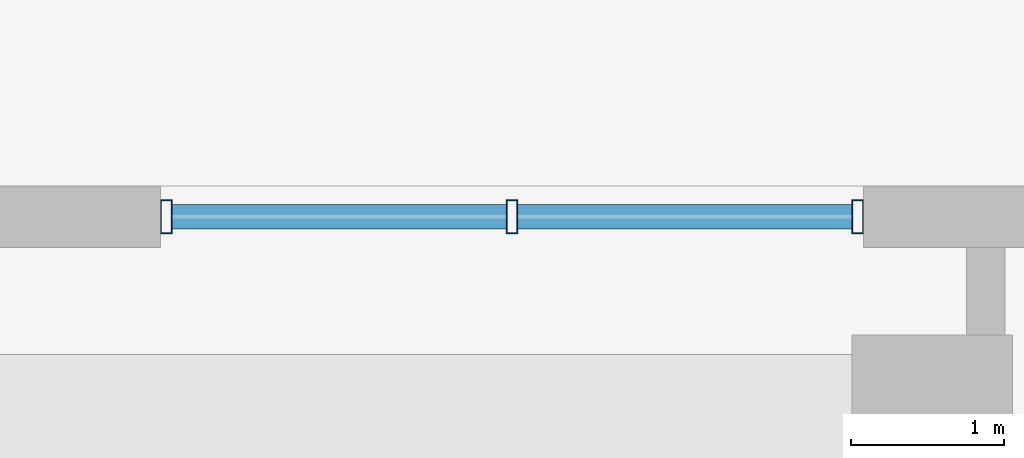
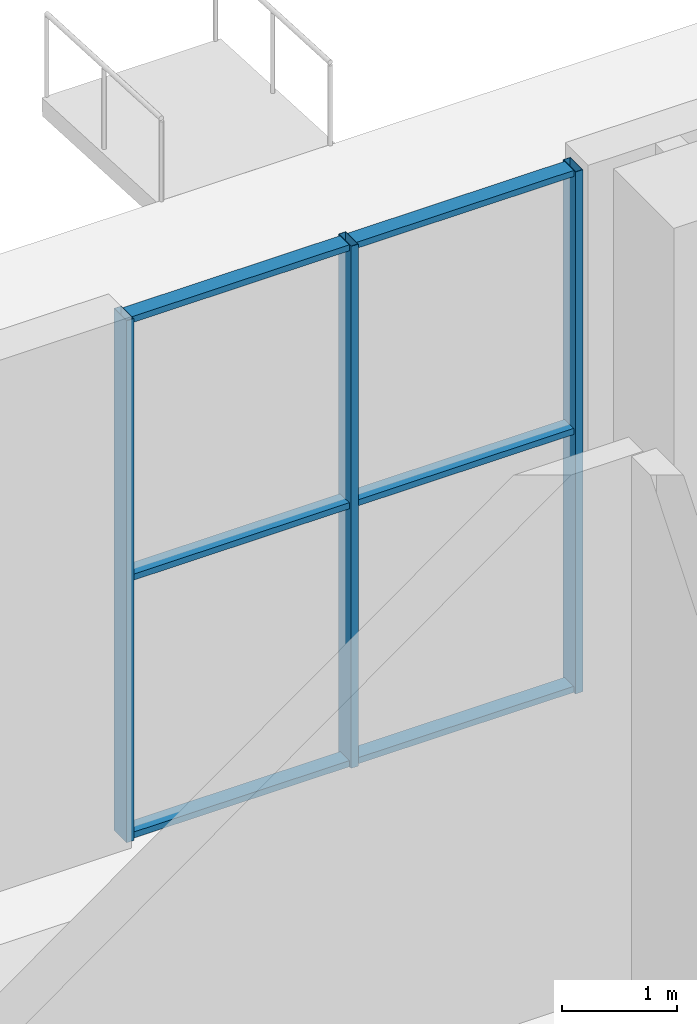
# One storey, part 12 of 25: 9 members, 1 element without a shape of its own.
"""IFC4 building model written with IfcOpenShell, lengths in metres."""

import ifcopenshell
import ifcopenshell.guid

model = None  # the IFC model being written
_history = None  # IfcOwnerHistory: only IFC2X3 demands one
_inside = {}  # id of a spatial element -> (the spatial element, [elements in it])
_under = {}  # id of a project, library or spatial element -> (it, [spatial elements below it])
_declared = {}  # id of a project -> (the project, [libraries it declares])
_typed = {}  # id of a type object -> (the type object, [elements of that type])
_made_of = {}  # id of a material, layer set ... -> (it, [elements and type objects made of it])


def new_model(schema):
    """Start an empty IFC model of exactly this schema.

    Asked for "IFC4X3", IfcOpenShell would pick the latest addendum, in which some entities
    have other attributes; the version numbers below select the first issue.
    IFC2X3 requires an IfcOwnerHistory on every rooted entity: one is made here for all.
    """
    global model, _history
    if schema == "IFC4X3":
        model = ifcopenshell.file(schema_version=(4, 3, 0, 0))
    else:
        model = ifcopenshell.file(schema=schema)
    _inside.clear()
    _under.clear()
    _declared.clear()
    _typed.clear()
    _made_of.clear()
    _history = None
    if model.schema == "IFC2X3":
        org = make("IfcOrganization", Name="unknown")
        user = make(
            "IfcPersonAndOrganization",
            ThePerson=make("IfcPerson", FamilyName="unknown"),
            TheOrganization=org,
        )
        app = make(
            "IfcApplication",
            ApplicationDeveloper=org,
            Version="unknown",
            ApplicationFullName="unknown",
            ApplicationIdentifier="unknown",
        )
        _history = make(
            "IfcOwnerHistory",
            OwningUser=user,
            OwningApplication=app,
            ChangeAction="ADDED",
            CreationDate=0,
        )
    return model


def make(cls, **values):
    """One entity of the class cls with the attributes given. An attribute that is None is left unset."""
    return model.create_entity(
        cls, **{name: value for name, value in values.items() if value is not None}
    )


def rooted(cls, **values):
    """An entity with a GlobalId (a new one), such as an element, a storey or a relation."""
    return make(cls, GlobalId=ifcopenshell.guid.new(), OwnerHistory=_history, **values)


def si_unit(unit_type, name, prefix=None):
    """IfcSIUnit, for example si_unit("LENGTHUNIT", "METRE", prefix="MILLI")."""
    return make("IfcSIUnit", UnitType=unit_type, Prefix=prefix, Name=name)


def assignment(units):
    """IfcUnitAssignment: the units of a project."""
    return None if units is None else make("IfcUnitAssignment", Units=units)


def point(xyz):
    """IfcCartesianPoint."""
    return None if xyz is None else make("IfcCartesianPoint", Coordinates=xyz)


def direction(xyz):
    """IfcDirection."""
    return None if xyz is None else make("IfcDirection", DirectionRatios=xyz)


def frame(location, z_axis=None, x_axis=None):
    """IfcAxis2Placement3D, a coordinate frame: its origin and axes. An axis left out is left unset."""
    return make(
        "IfcAxis2Placement3D",
        Location=point(location),
        Axis=direction(z_axis),
        RefDirection=direction(x_axis),
    )


def frame_2d(location, x_axis=None):
    """IfcAxis2Placement2D, a coordinate frame in the plane: its origin and x axis."""
    return make(
        "IfcAxis2Placement2D", Location=point(location), RefDirection=direction(x_axis)
    )


def origin():
    """The frame at (0, 0, 0) with its axes left unset."""
    return frame((0.0, 0.0, 0.0))


def origin_2d():
    """The frame at (0, 0) in the plane with its x axis left unset."""
    return frame_2d((0.0, 0.0))


def place(relative_to, where):
    """IfcLocalPlacement: puts the frame where relative to a parent placement (None: the world)."""
    return make(
        "IfcLocalPlacement", PlacementRelTo=relative_to, RelativePlacement=where
    )


def context(
    kind, dimensions, precision=None, world=None, true_north=None, identifier=None
):
    """IfcGeometricRepresentationContext, for example the 3D "Model" context."""
    return make(
        "IfcGeometricRepresentationContext",
        ContextIdentifier=identifier,
        ContextType=kind,
        CoordinateSpaceDimension=dimensions,
        Precision=precision,
        WorldCoordinateSystem=world,
        TrueNorth=true_north,
    )


def subcontext(parent, identifier, kind, view, scale=None):
    """IfcGeometricRepresentationSubContext, for example "Body" below "Model"."""
    return make(
        "IfcGeometricRepresentationSubContext",
        ContextIdentifier=identifier,
        ContextType=kind,
        ParentContext=parent,
        TargetScale=scale,
        TargetView=view,
    )


def project(units=None, contexts=None):
    """IfcProject with its units and contexts."""
    return rooted(
        "IfcProject",
        Name="project",
        RepresentationContexts=contexts,
        UnitsInContext=assignment(units),
    )


def spatial(cls, under=None, at=None, **own):
    """A site, building, storey or space (cls), placed at a placement, below another one or the project."""
    s = rooted(cls, ObjectPlacement=at, **own)
    if under is not None:
        _under.setdefault(under.id(), (under, []))[1].append(s)
    return s


def profile(cls, at=None, kind="AREA", **sizes):
    """A parametric profile (cls). Its sizes go by their IFC names, for example OverallWidth=200.0."""
    return make(cls, ProfileType=kind, Position=at, **sizes)


def hollow_rectangle(**sizes):
    """IfcRectangleHollowProfileDef."""
    return profile("IfcRectangleHollowProfileDef", **sizes)


def extrude(swept, where, along, depth):
    """IfcExtrudedAreaSolid: the profile swept, set in the frame where, extruded along a direction by depth."""
    return make(
        "IfcExtrudedAreaSolid",
        SweptArea=swept,
        Position=where,
        ExtrudedDirection=direction(along),
        Depth=depth,
    )


def shape(context_of_items, identifier, shape_type, items):
    """IfcShapeRepresentation: the items that make up one representation, for example the "Body"."""
    return make(
        "IfcShapeRepresentation",
        ContextOfItems=context_of_items,
        RepresentationIdentifier=identifier,
        RepresentationType=shape_type,
        Items=items,
    )


def source(mapping_origin, context_of_items, identifier, shape_type, items):
    """IfcRepresentationMap: a shape defined once, which mapped items show again and again."""
    return make(
        "IfcRepresentationMap",
        MappingOrigin=mapping_origin,
        MappedRepresentation=shape(context_of_items, identifier, shape_type, items),
    )


def transform(
    local_origin,
    x_axis=None,
    y_axis=None,
    z_axis=None,
    scale=None,
    scale2=None,
    scale3=None,
    uniform=True,
):
    """IfcCartesianTransformationOperator3D, or its non-uniform kind. x_axis, y_axis, z_axis: its Axis1, 2, 3."""
    if uniform:
        return make(
            "IfcCartesianTransformationOperator3D",
            Axis1=direction(x_axis),
            Axis2=direction(y_axis),
            LocalOrigin=point(local_origin),
            Scale=scale,
            Axis3=direction(z_axis),
        )
    return make(
        "IfcCartesianTransformationOperator3DnonUniform",
        Axis1=direction(x_axis),
        Axis2=direction(y_axis),
        LocalOrigin=point(local_origin),
        Scale=scale,
        Axis3=direction(z_axis),
        Scale2=scale2,
        Scale3=scale3,
    )


def mapped(mapping_source, mapping_target):
    """IfcMappedItem: shows the shape of a source again, moved by a transform."""
    return make(
        "IfcMappedItem", MappingSource=mapping_source, MappingTarget=mapping_target
    )


def material(Name=None, Category=None):
    """IfcMaterial."""
    return make("IfcMaterial", Name=Name, Category=Category)


def layer(
    of_material, thickness, ventilated=None, Name=None, Category=None, Priority=None
):
    """IfcMaterialLayer: one layer of a wall or slab, of a material (None: an air gap)."""
    return make(
        "IfcMaterialLayer",
        Material=of_material,
        LayerThickness=thickness,
        IsVentilated=ventilated,
        Name=Name,
        Category=Category,
        Priority=Priority,
    )


def layer_set(layers, Name=None):
    """IfcMaterialLayerSet."""
    return make("IfcMaterialLayerSet", MaterialLayers=layers, LayerSetName=Name)


def material_profile(
    of_material, cross_section, Name=None, Category=None, Priority=None
):
    """IfcMaterialProfile: a cross section and its material."""
    return make(
        "IfcMaterialProfile",
        Name=Name,
        Material=of_material,
        Profile=cross_section,
        Priority=Priority,
        Category=Category,
    )


def profile_set(profiles, Name=None, composite=None):
    """IfcMaterialProfileSet."""
    return make(
        "IfcMaterialProfileSet",
        Name=Name,
        MaterialProfiles=profiles,
        CompositeProfile=composite,
    )


def made_of(thing, what):
    """Note that an element or type object is made of a material, layer set ...; save() writes the relation."""
    if what is not None:
        _made_of.setdefault(what.id(), (what, []))[1].append(thing)
    return thing


def type_object(cls, material=None, **own):
    """A type object (cls), such as IfcWallType, which elements share."""
    return made_of(rooted(cls, **own), material)


def element(
    cls,
    number,
    at=None,
    inside=None,
    cuts=None,
    type_object=None,
    material=None,
    context=None,
    identifier="Body",
    shape_type=None,
    held_by="IfcProductDefinitionShape",
    body=None,
    shapes=None,
    **own,
):
    """One element of the class cls, such as IfcWall. Its Tag is "e" and its number.

    at: its placement. inside: the storey or other place that contains it. cuts: it is an
    opening in that element (IfcRelVoidsElement). A single representation is given by context,
    identifier, shape_type and body (its items); several are given by shapes. held_by: the class
    of the entity that holds the representations. save() writes the other relations.
    """
    e = rooted(cls, Tag="e%d" % number, ObjectPlacement=at, **own)
    if body is not None:
        shapes = [shape(context, identifier, shape_type, body)]
    if shapes is not None:
        e.Representation = make(held_by, Representations=shapes)
    if inside is not None:
        _inside.setdefault(inside.id(), (inside, []))[1].append(e)
    if cuts is not None:
        rooted(
            "IfcRelVoidsElement", RelatingBuildingElement=cuts, RelatedOpeningElement=e
        )
    if type_object is not None:
        _typed.setdefault(type_object.id(), (type_object, []))[1].append(e)
    return made_of(e, material)


def aggregate(whole, parts):
    """IfcRelAggregates: a whole, such as a stair, and the parts it consists of."""
    return rooted("IfcRelAggregates", RelatingObject=whole, RelatedObjects=parts)


def save(model, path):
    """Write the relations noted so far, then the file.

    IfcRelAggregates (storeys below a building ...), IfcRelContainedInSpatialStructure (elements
    in a storey), IfcRelDefinesByType, IfcRelAssociatesMaterial and IfcRelDeclares: one each for
    every whole, place, type object, material and project.
    """
    for whole, parts in _under.values():
        aggregate(whole, parts)
    for where, things in _inside.values():
        rooted(
            "IfcRelContainedInSpatialStructure",
            RelatedElements=things,
            RelatingStructure=where,
        )
    for kind, things in _typed.values():
        rooted("IfcRelDefinesByType", RelatedObjects=things, RelatingType=kind)
    for what, things in _made_of.values():
        rooted("IfcRelAssociatesMaterial", RelatedObjects=things, RelatingMaterial=what)
    for by, libraries in _declared.values():
        rooted("IfcRelDeclares", RelatingContext=by, RelatedDefinitions=libraries)
    model.write(path)


model = new_model("IFC4")

# Units and contexts
model_context = context("Model", 3, precision=1e-05, world=origin(), true_north=direction((0.0, 1.0)))
body_context = subcontext(model_context, "Body", "Model", "MODEL_VIEW")
ifc_project = project(units=[si_unit("LENGTHUNIT", "METRE"), si_unit("AREAUNIT", "SQUARE_METRE"), si_unit("VOLUMEUNIT", "CUBIC_METRE"), si_unit("PLANEANGLEUNIT", "RADIAN"), si_unit("MASSUNIT", "GRAM", prefix="KILO"), si_unit("THERMODYNAMICTEMPERATUREUNIT", "KELVIN")], contexts=[model_context])

# Site, building, storey
site_placement = place(None, origin())
site = spatial("IfcSite", under=ifc_project, at=site_placement, CompositionType="ELEMENT")
building_placement = place(site_placement, origin())
building = spatial("IfcBuilding", under=site, at=building_placement, Name="Kosmvard Interchange Tower", CompositionType="ELEMENT")
storey_placement = place(building_placement, origin())
storey = spatial("IfcBuildingStorey", under=building, at=storey_placement, Name="L00", CompositionType="ELEMENT", Elevation=0.0)

# Curtain wall, members
ifc_material = material(Name="Architectural anodised aluminium", Category="aluminium")
ifc_layer = layer(ifc_material, 0.219970703125, Name="Architectural anodised aluminium")
ifc_layer_set = layer_set([ifc_layer], Name="Architectural anodised aluminium")
curtain_wall_type = type_object("IfcCurtainWallType", Name="CW-1 Concourse Shopfront Curtain Wall", PredefinedType="NOTDEFINED", material=ifc_layer_set)
curtain_wall_placement = place(storey_placement, origin())
curtain_wall = element("IfcCurtainWall", 1, at=curtain_wall_placement, inside=storey, type_object=curtain_wall_type, Name="L00 Shopfront Curtain Wall CW1-N2", PredefinedType="NOTDEFINED")
ifc_material_profile_1 = material_profile(ifc_material, hollow_rectangle(XDim=0.219970703125, YDim=0.074951171875, WallThickness=0.0048828125, at=origin_2d()), Name="CWM 220x75x5")
ifc_profile_set_1 = profile_set([ifc_material_profile_1], Name="Architectural anodised aluminium")
member_type_1 = type_object("IfcMemberType", Name="Concourse CW Mullion 220x75 Aluminium", PredefinedType="MULLION", material=ifc_profile_set_1)
shared_shape_1 = source(origin(), body_context, "Body", "SweptSolid", [
    extrude(hollow_rectangle(XDim=0.219970703125, YDim=0.074951171875, WallThickness=0.0048828125, at=origin_2d()), origin(), (0.0, 0.0, 1.0), 5.56005859375),
])
member_1_placement = place(storey_placement, frame((20.03759765625, 26.800048828125, 0.0), z_axis=(0.0, 0.0, 1.0), x_axis=(0.0, 1.0, 0.0)))
member_1 = element("IfcMember", 2, at=member_1_placement, type_object=member_type_1, Name="CW-1 mullion 1", PredefinedType="MULLION", context=body_context, shape_type="MappedRepresentation", body=[
    mapped(shared_shape_1, transform((0.0, 0.0, 0.0), scale=1.0)),
])
member_2_placement = place(storey_placement, frame((22.300048828125, 26.800048828125, 0.0), z_axis=(0.0, 0.0, 1.0), x_axis=(0.0, 1.0, 0.0)))
member_2 = element("IfcMember", 3, at=member_2_placement, type_object=member_type_1, Name="CW-1 mullion 2", PredefinedType="MULLION", context=body_context, shape_type="MappedRepresentation", body=[
    mapped(shared_shape_1, transform((0.0, 0.0, 0.0), scale=1.0)),
])
member_3_placement = place(storey_placement, frame((24.5625, 26.800048828125, 0.0), z_axis=(0.0, 0.0, 1.0), x_axis=(0.0, 1.0, 0.0)))
member_3 = element("IfcMember", 4, at=member_3_placement, type_object=member_type_1, Name="CW-1 mullion 3", PredefinedType="MULLION", context=body_context, shape_type="MappedRepresentation", body=[
    mapped(shared_shape_1, transform((0.0, 0.0, 0.0), scale=1.0)),
])
ifc_material_profile_2 = material_profile(ifc_material, hollow_rectangle(XDim=0.159912109375, YDim=0.06494140625, WallThickness=0.00390625, at=origin_2d()), Name="CWT 160x65x4")
ifc_profile_set_2 = profile_set([ifc_material_profile_2], Name="Architectural anodised aluminium")
member_type_2 = type_object("IfcMemberType", Name="Standard CW Transom 160x65 Aluminium", PredefinedType="USERDEFINED", material=ifc_profile_set_2)
shared_shape_2 = source(origin(), body_context, "Body", "SweptSolid", [
    extrude(hollow_rectangle(XDim=0.159912109375, YDim=0.06494140625, WallThickness=0.00390625, at=origin_2d()), origin(), (0.0, 0.0, 1.0), 2.1875),
])
member_4_placement = place(storey_placement, frame((20.074951171875, 26.800048828125, 0.032470703125), z_axis=(1.0, 0.0, 0.0), x_axis=(0.0, 1.0, 0.0)))
member_4 = element("IfcMember", 5, at=member_4_placement, type_object=member_type_2, Name="CW-1 transom 1.1", ObjectType="TRANSOM", PredefinedType="USERDEFINED", context=body_context, shape_type="MappedRepresentation", body=[
    mapped(shared_shape_2, transform((0.0, 0.0, 0.0), scale=1.0)),
])
member_5_placement = place(storey_placement, frame((20.074951171875, 26.800048828125, 2.780029296875), z_axis=(1.0, 0.0, 0.0), x_axis=(0.0, 1.0, 0.0)))
member_5 = element("IfcMember", 6, at=member_5_placement, type_object=member_type_2, Name="CW-1 transom 1.2", ObjectType="TRANSOM", PredefinedType="USERDEFINED", context=body_context, shape_type="MappedRepresentation", body=[
    mapped(shared_shape_2, transform((0.0, 0.0, 0.0), scale=1.0)),
])
member_6_placement = place(storey_placement, frame((20.074951171875, 26.800048828125, 5.527587890625), z_axis=(1.0, 0.0, 0.0), x_axis=(0.0, 1.0, 0.0)))
member_6 = element("IfcMember", 7, at=member_6_placement, type_object=member_type_2, Name="CW-1 transom 1.3", ObjectType="TRANSOM", PredefinedType="USERDEFINED", context=body_context, shape_type="MappedRepresentation", body=[
    mapped(shared_shape_2, transform((0.0, 0.0, 0.0), scale=1.0)),
])
member_7_placement = place(storey_placement, frame((22.33740234375, 26.800048828125, 0.032470703125), z_axis=(1.0, 0.0, 0.0), x_axis=(0.0, 1.0, 0.0)))
member_7 = element("IfcMember", 8, at=member_7_placement, type_object=member_type_2, Name="CW-1 transom 2.1", ObjectType="TRANSOM", PredefinedType="USERDEFINED", context=body_context, shape_type="MappedRepresentation", body=[
    mapped(shared_shape_2, transform((0.0, 0.0, 0.0), scale=1.0)),
])
member_8_placement = place(storey_placement, frame((22.33740234375, 26.800048828125, 2.780029296875), z_axis=(1.0, 0.0, 0.0), x_axis=(0.0, 1.0, 0.0)))
member_8 = element("IfcMember", 9, at=member_8_placement, type_object=member_type_2, Name="CW-1 transom 2.2", ObjectType="TRANSOM", PredefinedType="USERDEFINED", context=body_context, shape_type="MappedRepresentation", body=[
    mapped(shared_shape_2, transform((0.0, 0.0, 0.0), scale=1.0)),
])
member_9_placement = place(storey_placement, frame((22.33740234375, 26.800048828125, 5.527587890625), z_axis=(1.0, 0.0, 0.0), x_axis=(0.0, 1.0, 0.0)))
member_9 = element("IfcMember", 10, at=member_9_placement, type_object=member_type_2, Name="CW-1 transom 2.3", ObjectType="TRANSOM", PredefinedType="USERDEFINED", context=body_context, shape_type="MappedRepresentation", body=[
    mapped(shared_shape_2, transform((0.0, 0.0, 0.0), scale=1.0)),
])
aggregate(curtain_wall, [member_1, member_2, member_3, member_4, member_5, member_6, member_7, member_8, member_9])

save(model, "model.ifc")
